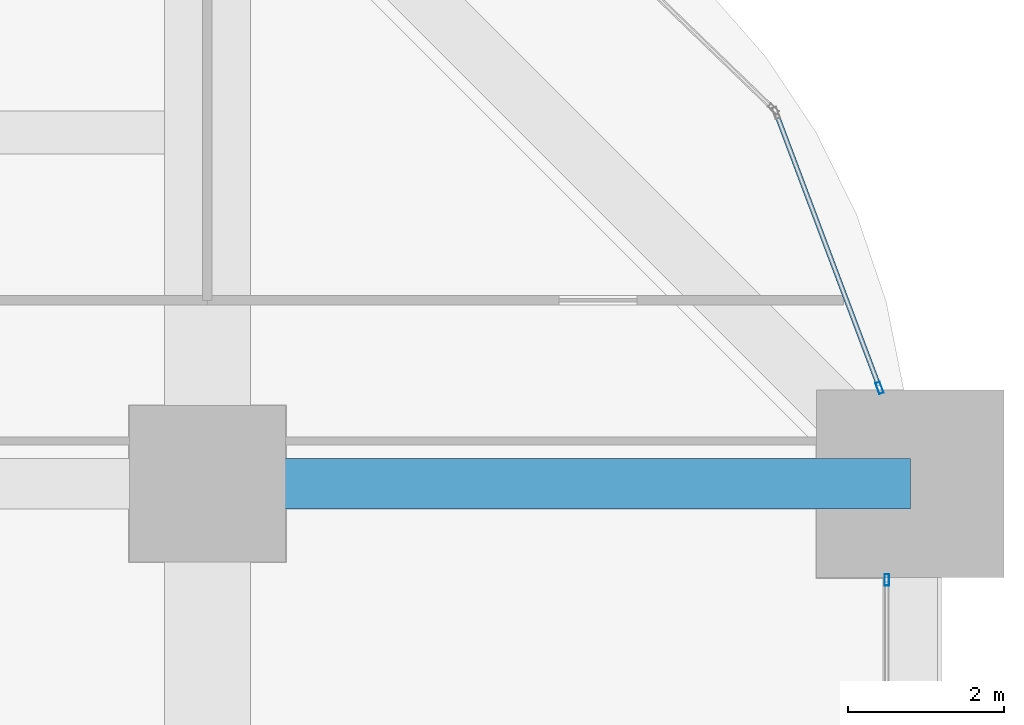
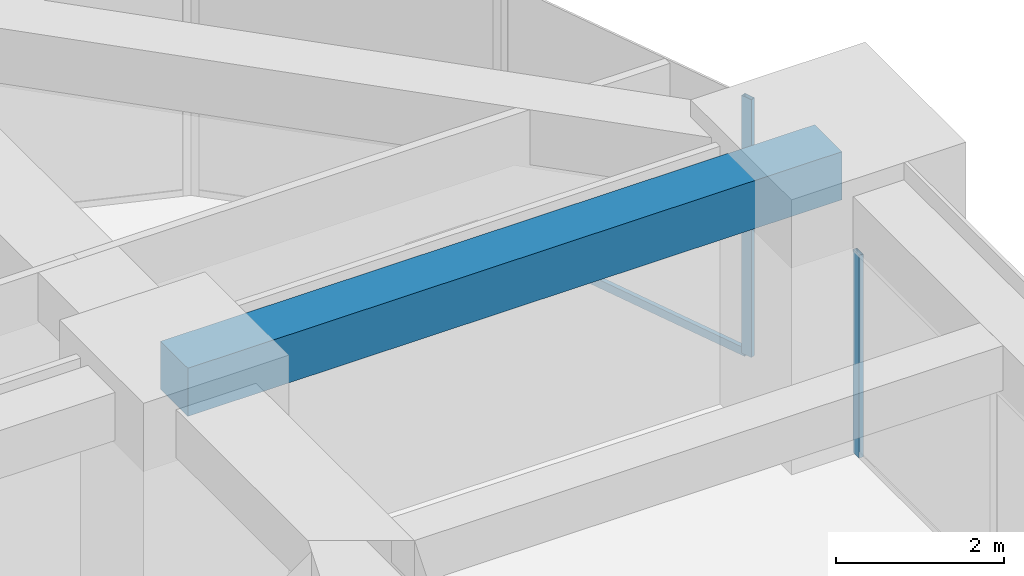
# One storey, part 32 of 41: 3 members, 1 beam, 2 elements without a shape of their own.
"""IFC4 building model written with IfcOpenShell, lengths in metres."""

from ifc_helpers import new_model, si_unit, direction, frame, origin, origin_2d, place, context, subcontext, project, spatial, rectangle, hollow_rectangle, extrude, material, material_profile, profile_set, type_object, element, aggregate, save


model = new_model("IFC4")

# Units and contexts
model_context = context("Model", 3, precision=1e-05, world=origin(), true_north=direction((0.0, 1.0)))
body_context = subcontext(model_context, "Body", "Model", "MODEL_VIEW")
ifc_project = project(units=[si_unit("LENGTHUNIT", "METRE"), si_unit("AREAUNIT", "SQUARE_METRE"), si_unit("VOLUMEUNIT", "CUBIC_METRE"), si_unit("PLANEANGLEUNIT", "RADIAN"), si_unit("MASSUNIT", "GRAM", prefix="KILO")], contexts=[model_context])

# Site, building, storey
site_placement = place(None, origin())
site = spatial("IfcSite", under=ifc_project, at=site_placement, CompositionType="ELEMENT")
building_placement = place(site_placement, origin())
building = spatial("IfcBuilding", under=site, at=building_placement, Name="Zorevar Civic Tower", CompositionType="ELEMENT")
storey_placement = place(building_placement, frame((0.0, 0.0, 105.0)))
storey = spatial("IfcBuildingStorey", under=building, at=storey_placement, Name="L25", CompositionType="ELEMENT", Elevation=105.0)

# Beam
ifc_material_1 = material(Name="Concrete C50/60", Category="concrete")
ifc_material_profile_1 = material_profile(ifc_material_1, rectangle(XDim=0.64990234375, YDim=0.699951171875, at=origin_2d()), Name="RC 650x700")
ifc_profile_set_1 = profile_set([ifc_material_profile_1], Name="Concrete C50/60")
beam_type = type_object("IfcBeamType", Name="Beam RC 650x700", PredefinedType="BEAM", material=ifc_profile_set_1)
beam_placement = place(storey_placement, frame((54.0, 36.0, 3.39990234375), z_axis=(1.0, 0.0, 0.0), x_axis=(0.0, 1.0, 0.0)))
element("IfcBeam", 1, at=beam_placement, inside=storey, type_object=beam_type, Name="Girder L26", PredefinedType="BEAM", context=body_context, shape_type="SweptSolid", body=[
    extrude(rectangle(XDim=0.64990234375, YDim=0.699951171875, at=origin_2d()), origin(), (0.0, 0.0, 1.0), 9.0),
])

# Curtain wall, member
ifc_material_2 = material(Name="Dark grey solar-control glass in black aluminium frame", Category="aluminium")
curtain_wall_type = type_object("IfcCurtainWallType", Name="Curtain wall CW3 mid zone", PredefinedType="NOTDEFINED", material=ifc_material_2)
curtain_wall_1_placement = place(storey_placement, origin())
curtain_wall_1 = element("IfcCurtainWall", 2, at=curtain_wall_1_placement, inside=storey, type_object=curtain_wall_type, Name="CW3 L25", PredefinedType="NOTDEFINED")
ifc_material_3 = material(Name="Aluminium, black anodised", Category="aluminium")
ifc_material_profile_2 = material_profile(ifc_material_3, hollow_rectangle(XDim=0.06005859375, YDim=0.14990234375, WallThickness=0.00390625, at=origin_2d()), Name="AL 150x60x4")
ifc_profile_set_2 = profile_set([ifc_material_profile_2], Name="Aluminium, black anodised")
member_type_1 = type_object("IfcMemberType", Name="CW3 mullion AL 150x60x4", PredefinedType="MULLION", material=ifc_profile_set_2)
member_1_placement = place(storey_placement, frame((62.699951171875, 34.77001953125, 0.0), z_axis=(0.0, 0.0, 1.0), x_axis=(-1.0, 0.0, 0.0)))
member_1 = element("IfcMember", 3, at=member_1_placement, type_object=member_type_1, Name="CW3 mullion 3", PredefinedType="MULLION", context=body_context, shape_type="SweptSolid", body=[
    extrude(hollow_rectangle(XDim=0.06005859375, YDim=0.14990234375, WallThickness=0.00390625, at=origin_2d()), origin(), (0.0, 0.0, 1.0), 2.949951171875),
])
aggregate(curtain_wall_1, [member_1])

# Curtain wall, members
curtain_wall_2_placement = place(storey_placement, origin())
curtain_wall_2 = element("IfcCurtainWall", 4, at=curtain_wall_2_placement, inside=storey, type_object=curtain_wall_type, Name="CW3 L25", PredefinedType="NOTDEFINED")
member_2_placement = place(storey_placement, frame((62.606201171875, 37.22802734375, 0.0), z_axis=(0.0, 0.0, 1.0), x_axis=(-0.935950528564, -0.352131520999, 0.0)))
member_2 = element("IfcMember", 5, at=member_2_placement, type_object=member_type_1, Name="CW3 mullion 1", PredefinedType="MULLION", context=body_context, shape_type="SweptSolid", body=[
    extrude(hollow_rectangle(XDim=0.06005859375, YDim=0.14990234375, WallThickness=0.00390625, at=origin_2d()), origin(), (0.0, 0.0, 1.0), 3.75),
])
ifc_material_4 = material(Name="Aluminium, black anodised", Category="aluminium")
ifc_material_profile_3 = material_profile(ifc_material_4, hollow_rectangle(XDim=0.06005859375, YDim=0.1201171875, WallThickness=0.0029296875, at=origin_2d()), Name="AL 120x60x3")
ifc_profile_set_3 = profile_set([ifc_material_profile_3], Name="Aluminium, black anodised")
member_type_2 = type_object("IfcMemberType", Name="CW3 transom AL 120x60x3", PredefinedType="USERDEFINED", material=ifc_profile_set_3)
member_3_placement = place(storey_placement, frame((62.595703125, 37.256103515625, 0.030029296875), z_axis=(-0.352142207579, 0.935946507895, 0.0), x_axis=(-0.935946507895, -0.352142207579, 0.0)))
member_3 = element("IfcMember", 6, at=member_3_placement, type_object=member_type_2, Name="CW3 sill transom", ObjectType="TRANSOM", PredefinedType="USERDEFINED", context=body_context, shape_type="SweptSolid", body=[
    extrude(hollow_rectangle(XDim=0.06005859375, YDim=0.1201171875, WallThickness=0.0029296875, at=origin_2d()), origin(), (0.0, 0.0, 1.0), 3.7021484375),
])
aggregate(curtain_wall_2, [member_2, member_3])

save(model, "model.ifc")
